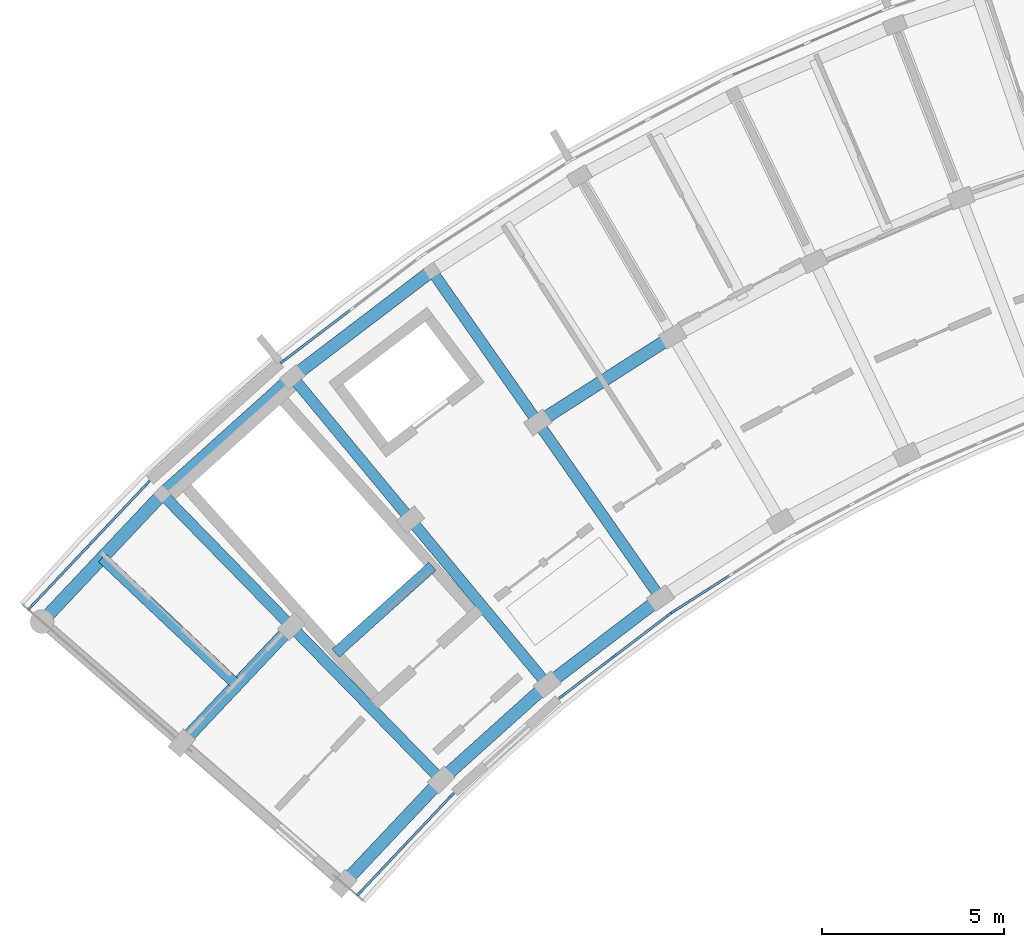
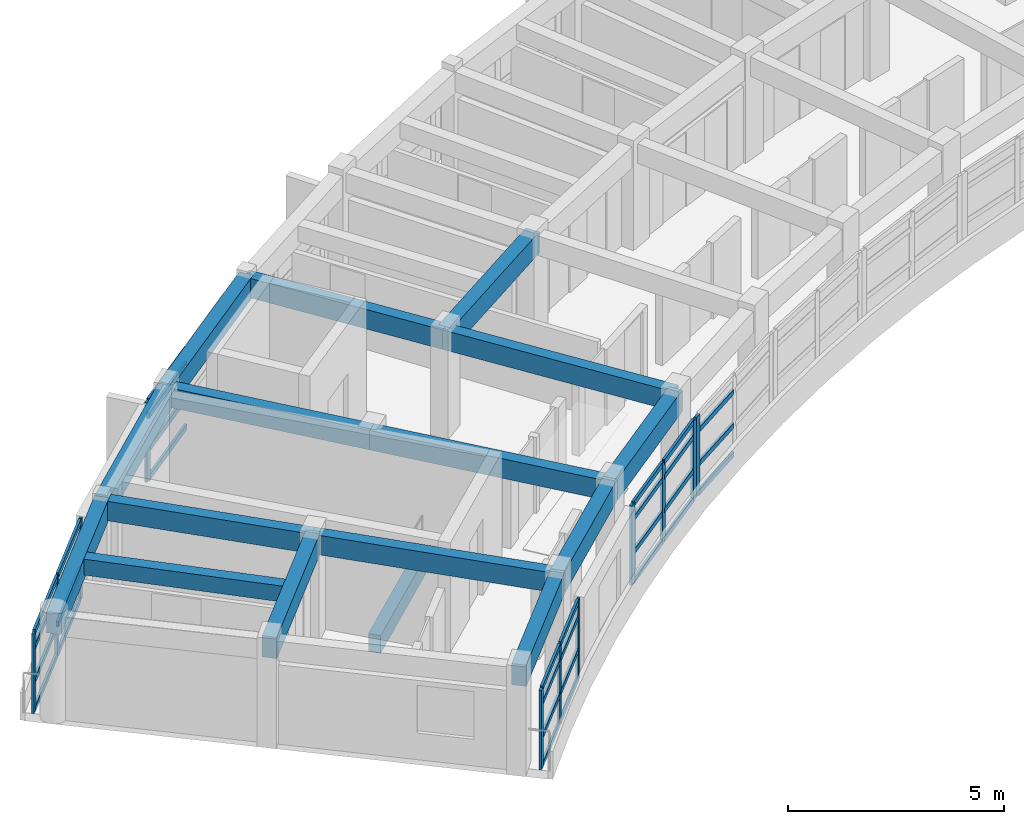
# One storey, part 2 of 11: 42 members, 16 beams, 5 elements without a shape of their own.
"""IFC4 building model written with IfcOpenShell, lengths in metres."""

from ifc_helpers import new_model, si_unit, direction, frame, origin, origin_2d, place, context, subcontext, project, spatial, rectangle, extrude, material, material_profile, profile_set, type_object, element, aggregate, save


model = new_model("IFC4")

# Units and contexts
model_context = context("Model", 3, precision=1e-05, world=origin(), true_north=direction((0.0, 1.0)))
body_context = subcontext(model_context, "Body", "Model", "MODEL_VIEW")
ifc_project = project(units=[si_unit("LENGTHUNIT", "METRE"), si_unit("AREAUNIT", "SQUARE_METRE"), si_unit("VOLUMEUNIT", "CUBIC_METRE"), si_unit("PLANEANGLEUNIT", "RADIAN"), si_unit("MASSUNIT", "GRAM", prefix="KILO")], contexts=[model_context])

# Site, building, storey
site_placement = place(None, origin())
site = spatial("IfcSite", under=ifc_project, at=site_placement, CompositionType="ELEMENT")
building_placement = place(site_placement, origin())
building = spatial("IfcBuilding", under=site, at=building_placement, Name="Zimvara Arc Housing Community", CompositionType="ELEMENT")
storey_placement = place(building_placement, frame((0.0, 0.0, 42.199951171875)))
storey = spatial("IfcBuildingStorey", under=building, at=storey_placement, Name="L13", CompositionType="ELEMENT", Elevation=42.199951171875)

# Beams
ifc_material_1 = material(Name="Concrete C40/50", Category="concrete")
ifc_material_profile_1 = material_profile(ifc_material_1, rectangle(XDim=0.300048828125, YDim=0.449951171875, at=origin_2d()), Name="RC 300x450")
ifc_profile_set_1 = profile_set([ifc_material_profile_1], Name="Concrete C40/50")
beam_type_1 = type_object("IfcBeamType", Name="BM-RC-300x450", PredefinedType="JOIST", material=ifc_profile_set_1)
beam_1_placement = place(storey_placement, frame((5.904296875, 81.3935546875, 2.695068359375), z_axis=(-0.727299876429, 0.686319815936, 0.0), x_axis=(-0.686319815936, -0.727299876429, 0.0)))
element("IfcBeam", 1, at=beam_1_placement, inside=storey, type_object=beam_type_1, Name="bm:blkA:L13:joist:b0", PredefinedType="JOIST", context=body_context, shape_type="SweptSolid", body=[
    extrude(rectangle(XDim=0.300048828125, YDim=0.449951171875, at=origin_2d()), origin(), (0.0, 0.0, 1.0), 5.075927734375),
])
ifc_material_2 = material(Name="Concrete C40/50", Category="concrete")
ifc_material_profile_2 = material_profile(ifc_material_2, rectangle(XDim=0.300048828125, YDim=0.5, at=origin_2d()), Name="RC 300x500")
ifc_profile_set_2 = profile_set([ifc_material_profile_2], Name="Concrete C40/50")
beam_type_2 = type_object("IfcBeamType", Name="BM-RC-300x500", PredefinedType="BEAM", material=ifc_profile_set_2)
beam_2_placement = place(storey_placement, frame((11.278076171875, 84.64697265625, -0.25), z_axis=(-0.743362151162, -0.668889162881, 0.0), x_axis=(0.668889162881, -0.743362151162, 0.0)))
element("IfcBeam", 2, at=beam_2_placement, inside=storey, type_object=beam_type_2, Name="bm:stair_trim:ST-A1:L13:near", PredefinedType="BEAM", context=body_context, shape_type="SweptSolid", body=[
    extrude(rectangle(XDim=0.300048828125, YDim=0.5, at=origin_2d()), origin(), (0.0, 0.0, 1.0), 3.570068359375),
])
ifc_material_3 = material(Name="Concrete C40/50", Category="concrete")
ifc_material_profile_3 = material_profile(ifc_material_3, rectangle(XDim=0.300048828125, YDim=0.550048828125, at=origin_2d()), Name="RC 300x550")
ifc_profile_set_3 = profile_set([ifc_material_profile_3], Name="Concrete C40/50")
beam_type_3 = type_object("IfcBeamType", Name="BM-RC-300x550", PredefinedType="BEAM", material=ifc_profile_set_3)
beam_3_placement = place(storey_placement, frame((11.52001953125, 78.784423828125, 2.64501953125), z_axis=(-0.698669844288, 0.715444231707, 0.0), x_axis=(-0.715444231707, -0.698669844288, 0.0)))
element("IfcBeam", 3, at=beam_3_placement, inside=storey, type_object=beam_type_3, Name="bm:blkA:L13:rad:b1:r12", PredefinedType="BEAM", context=body_context, shape_type="SweptSolid", body=[
    extrude(rectangle(XDim=0.300048828125, YDim=0.550048828125, at=origin_2d()), origin(), (0.0, 0.0, 1.0), 5.8798828125),
])
beam_4_placement = place(storey_placement, frame((7.411865234375, 82.9912109375, 2.64501953125), z_axis=(-0.698670885014, 0.71544321538, 0.0), x_axis=(-0.71544321538, -0.698670885014, 0.0)))
element("IfcBeam", 4, at=beam_4_placement, inside=storey, type_object=beam_type_3, Name="bm:blkA:L13:rad:b1:r23", PredefinedType="BEAM", context=body_context, shape_type="SweptSolid", body=[
    extrude(rectangle(XDim=0.300048828125, YDim=0.550048828125, at=origin_2d()), origin(), (0.0, 0.0, 1.0), 5.080078125),
])
beam_5_placement = place(storey_placement, frame((14.428955078125, 81.401611328125, 2.64501953125), z_axis=(-0.637955964415, 0.770072845559, 0.0), x_axis=(-0.770072845559, -0.637955964415, 0.0)))
element("IfcBeam", 5, at=beam_5_placement, inside=storey, type_object=beam_type_3, Name="bm:blkA:L13:rad:b2:r12", PredefinedType="BEAM", context=body_context, shape_type="SweptSolid", body=[
    extrude(rectangle(XDim=0.300048828125, YDim=0.550048828125, at=origin_2d()), origin(), (0.0, 0.0, 1.0), 5.880126953125),
])
beam_6_placement = place(storey_placement, frame((10.677734375, 85.9296875, 2.64501953125), z_axis=(-0.637983669165, 0.77004989311, 0.0), x_axis=(-0.77004989311, -0.637983669165, 0.0)))
element("IfcBeam", 6, at=beam_6_placement, inside=storey, type_object=beam_type_3, Name="bm:blkA:L13:rad:b2:r23", PredefinedType="BEAM", context=body_context, shape_type="SweptSolid", body=[
    extrude(rectangle(XDim=0.300048828125, YDim=0.550048828125, at=origin_2d()), origin(), (0.0, 0.0, 1.0), 5.080078125),
])
beam_7_placement = place(storey_placement, frame((17.541748046875, 83.77294921875, 2.64501953125), z_axis=(-0.573027549978, 0.819536104736, 0.0), x_axis=(-0.819536104736, -0.573027549978, 0.0)))
element("IfcBeam", 7, at=beam_7_placement, inside=storey, type_object=beam_type_3, Name="bm:blkA:L13:rad:b3:r12", PredefinedType="BEAM", context=body_context, shape_type="SweptSolid", body=[
    extrude(rectangle(XDim=0.300048828125, YDim=0.550048828125, at=origin_2d()), origin(), (0.0, 0.0, 1.0), 5.8798828125),
])
beam_8_placement = place(storey_placement, frame((14.17236328125, 88.591796875, 2.64501953125), z_axis=(-0.573007469479, 0.819550144848, 0.0), x_axis=(-0.819550144848, -0.573007469479, 0.0)))
element("IfcBeam", 8, at=beam_8_placement, inside=storey, type_object=beam_type_3, Name="bm:blkA:L13:rad:b3:r23", PredefinedType="BEAM", context=body_context, shape_type="SweptSolid", body=[
    extrude(rectangle(XDim=0.300048828125, YDim=0.550048828125, at=origin_2d()), origin(), (0.0, 0.0, 1.0), 5.080078125),
])
ifc_material_4 = material(Name="Concrete C40/50", Category="concrete")
ifc_material_profile_4 = material_profile(ifc_material_4, rectangle(XDim=0.35009765625, YDim=0.60009765625, at=origin_2d()), Name="RC 350x600")
ifc_profile_set_4 = profile_set([ifc_material_profile_4], Name="Concrete C40/50")
beam_type_4 = type_object("IfcBeamType", Name="BM-RC-350x600", PredefinedType="BEAM", material=ifc_profile_set_4)
beam_9_placement = place(storey_placement, frame((8.834228515625, 75.938232421875, 2.6201171875), z_axis=(0.686315710793, 0.727303750243, 0.0), x_axis=(-0.727303750243, 0.686315710793, 0.0)))
element("IfcBeam", 9, at=beam_9_placement, inside=storey, type_object=beam_type_4, Name="bm:blkA:L13:chord:r1:b0", PredefinedType="BEAM", context=body_context, shape_type="SweptSolid", body=[
    extrude(rectangle(XDim=0.35009765625, YDim=0.60009765625, at=origin_2d()), origin(), (0.0, 0.0, 1.0), 3.913330078125),
])
for number, where, z_axis, x_axis, name in (
    (10, (11.52001953125, 78.784423828125, 2.6201171875), (0.743402719516, 0.668844074965, 0.0), (-0.668844074965, 0.743402719516, 0.0), "bm:blkA:L13:chord:r1:b1"),
    (11, (14.428955078125, 81.401611328125, 2.6201171875), (0.795470387579, 0.605992460749, 0.0), (-0.605992460749, 0.795470387579, 0.0), "bm:blkA:L13:chord:r1:b2"),
):
    element("IfcBeam", number, at=place(storey_placement, frame(where, z_axis=z_axis, x_axis=x_axis)), inside=storey, type_object=beam_type_4, Name=name, PredefinedType="BEAM", context=body_context, shape_type="SweptSolid", body=[
        extrude(rectangle(XDim=0.35009765625, YDim=0.60009765625, at=origin_2d()), origin(), (0.0, 0.0, 1.0), 3.9130859375),
    ])
for number, where, z_axis, x_axis, name in (
    (12, (4.396728515625, 79.7958984375, 2.6201171875), (0.686303637813, 0.727315142648, 0.0), (-0.727315142648, 0.686303637813, 0.0), "bm:blkA:L13:chord:r2:b0"),
    (13, (14.17236328125, 88.591796875, 2.6201171875), (0.842242131326, 0.539099427025, 0.0), (-0.539099427025, 0.842242131326, 0.0), "bm:blkA:L13:chord:r2:b3"),
):
    element("IfcBeam", number, at=place(storey_placement, frame(where, z_axis=z_axis, x_axis=x_axis)), inside=storey, type_object=beam_type_4, Name=name, PredefinedType="BEAM", context=body_context, shape_type="SweptSolid", body=[
        extrude(rectangle(XDim=0.35009765625, YDim=0.60009765625, at=origin_2d()), origin(), (0.0, 0.0, 1.0), 4.393310546875),
    ])
beam_10_placement = place(storey_placement, frame((0.562744140625, 83.128662109375, 2.6201171875), z_axis=(0.6862954451, 0.727322873307, 0.0), x_axis=(-0.727322873307, 0.6862954451, 0.0)))
element("IfcBeam", 14, at=beam_10_placement, inside=storey, type_object=beam_type_4, Name="bm:blkA:L13:chord:r3:b0", PredefinedType="BEAM", context=body_context, shape_type="SweptSolid", body=[
    extrude(rectangle(XDim=0.35009765625, YDim=0.60009765625, at=origin_2d()), origin(), (0.0, 0.0, 1.0), 4.80810546875),
])
beam_11_placement = place(storey_placement, frame((3.862548828125, 86.625732421875, 2.6201171875), z_axis=(0.743395133402, 0.668852506637, 0.0), x_axis=(-0.668852506637, 0.743395133402, 0.0)))
element("IfcBeam", 15, at=beam_11_placement, inside=storey, type_object=beam_type_4, Name="bm:blkA:L13:chord:r3:b1", PredefinedType="BEAM", context=body_context, shape_type="SweptSolid", body=[
    extrude(rectangle(XDim=0.35009765625, YDim=0.60009765625, at=origin_2d()), origin(), (0.0, 0.0, 1.0), 4.807861328125),
])
beam_12_placement = place(storey_placement, frame((7.436767578125, 89.841552734375, 2.6201171875), z_axis=(0.795480673672, 0.605978958228, 0.0), x_axis=(-0.605978958228, 0.795480673672, 0.0)))
element("IfcBeam", 16, at=beam_12_placement, inside=storey, type_object=beam_type_4, Name="bm:blkA:L13:chord:r3:b2", PredefinedType="BEAM", context=body_context, shape_type="SweptSolid", body=[
    extrude(rectangle(XDim=0.35009765625, YDim=0.60009765625, at=origin_2d()), origin(), (0.0, 0.0, 1.0), 4.80810546875),
])

# Curtain wall, members
ifc_material_5 = material(Name="Anodised Aluminium AW-6063", Category="aluminium")
curtain_wall_type_1 = type_object("IfcCurtainWallType", Name="CW-SYS-02", PredefinedType="USERDEFINED", material=ifc_material_5)
curtain_wall_1_placement = place(storey_placement, origin())
curtain_wall_1 = element("IfcCurtainWall", 17, at=curtain_wall_1_placement, inside=storey, type_object=curtain_wall_type_1, Name="cw:blkA:L13:in:b0", ObjectType="CURTAIN WALL", PredefinedType="USERDEFINED")
ifc_material_6 = material(Name="Anodised Aluminium AW-6063", Category="aluminium")
ifc_material_profile_5 = material_profile(ifc_material_6, rectangle(XDim=0.06494140625, YDim=0.179931640625, at=origin_2d()), Name="ALU 65x180")
ifc_profile_set_5 = profile_set([ifc_material_profile_5], Name="Anodised Aluminium AW-6063")
member_type_1 = type_object("IfcMemberType", Name="CWM-65x150", PredefinedType="MULLION", material=ifc_profile_set_5)
member_1_placement = place(storey_placement, frame((9.275146484375, 75.677490234375, 0.0), z_axis=(0.0, 0.0, 1.0), x_axis=(-0.727293723669, 0.686326336018, 0.0)))
member_1 = element("IfcMember", 18, at=member_1_placement, type_object=member_type_1, Name="CW02 mullion 1", PredefinedType="MULLION", context=body_context, shape_type="SweptSolid", body=[
    extrude(rectangle(XDim=0.06494140625, YDim=0.179931640625, at=origin_2d()), origin(), (0.0, 0.0, 1.0), 2.25),
])
member_2_placement = place(storey_placement, frame((10.54052734375, 77.0185546875, 0.0), z_axis=(0.0, 0.0, 1.0), x_axis=(-0.727293723669, 0.686326336018, 0.0)))
member_2 = element("IfcMember", 19, at=member_2_placement, type_object=member_type_1, Name="CW02 mullion 2", PredefinedType="MULLION", context=body_context, shape_type="SweptSolid", body=[
    extrude(rectangle(XDim=0.06494140625, YDim=0.179931640625, at=origin_2d()), origin(), (0.0, 0.0, 1.0), 2.25),
])
member_3_placement = place(storey_placement, frame((11.805908203125, 78.359375, 0.0), z_axis=(0.0, 0.0, 1.0), x_axis=(-0.727293723669, 0.686326336018, 0.0)))
member_3 = element("IfcMember", 20, at=member_3_placement, type_object=member_type_1, Name="CW02 mullion 3", PredefinedType="MULLION", context=body_context, shape_type="SweptSolid", body=[
    extrude(rectangle(XDim=0.06494140625, YDim=0.179931640625, at=origin_2d()), origin(), (0.0, 0.0, 1.0), 2.25),
])

ifc_material_7 = material(Name="Anodised Aluminium AW-6063", Category="aluminium")
curtain_wall_type_2 = type_object("IfcCurtainWallType", Name="CW-SYS-04", PredefinedType="USERDEFINED", material=ifc_material_7)
curtain_wall_2_placement = place(storey_placement, origin())
curtain_wall_2 = element("IfcCurtainWall", 21, at=curtain_wall_2_placement, inside=storey, type_object=curtain_wall_type_2, Name="cw:blkA:L13:in:b2", ObjectType="CURTAIN WALL", PredefinedType="USERDEFINED")
member_4_placement = place(storey_placement, frame((14.821533203125, 81.07275390625, 0.0), z_axis=(0.0, 0.0, 1.0), x_axis=(-0.605987809503, 0.795473930895, 0.0)))
member_4 = element("IfcMember", 22, at=member_4_placement, type_object=member_type_1, Name="CW04 mullion 1", PredefinedType="MULLION", context=body_context, shape_type="SweptSolid", body=[
    extrude(rectangle(XDim=0.06494140625, YDim=0.179931640625, at=origin_2d()), origin(), (0.0, 0.0, 1.0), 2.25),
])
member_5_placement = place(storey_placement, frame((16.2880859375, 82.18994140625, 0.0), z_axis=(0.0, 0.0, 1.0), x_axis=(-0.605987809503, 0.795473930895, 0.0)))
member_5 = element("IfcMember", 23, at=member_5_placement, type_object=member_type_1, Name="CW04 mullion 2", PredefinedType="MULLION", context=body_context, shape_type="SweptSolid", body=[
    extrude(rectangle(XDim=0.06494140625, YDim=0.179931640625, at=origin_2d()), origin(), (0.0, 0.0, 1.0), 2.25),
])
member_6_placement = place(storey_placement, frame((17.754638671875, 83.30712890625, 0.0), z_axis=(0.0, 0.0, 1.0), x_axis=(-0.605987809503, 0.795473930895, 0.0)))
member_6 = element("IfcMember", 24, at=member_6_placement, type_object=member_type_1, Name="CW04 mullion 3", PredefinedType="MULLION", context=body_context, shape_type="SweptSolid", body=[
    extrude(rectangle(XDim=0.06494140625, YDim=0.179931640625, at=origin_2d()), origin(), (0.0, 0.0, 1.0), 2.25),
])

# Curtain wall, member
ifc_material_8 = material(Name="Anodised Aluminium AW-6063", Category="aluminium")
curtain_wall_type_3 = type_object("IfcCurtainWallType", Name="CW-SYS-06", PredefinedType="USERDEFINED", material=ifc_material_8)
curtain_wall_3_placement = place(storey_placement, origin())
curtain_wall_3 = element("IfcCurtainWall", 25, at=curtain_wall_3_placement, inside=storey, type_object=curtain_wall_type_3, Name="cw:blkA:L13:in:b3", ObjectType="CURTAIN WALL", PredefinedType="USERDEFINED")
member_7_placement = place(storey_placement, frame((17.906005859375, 83.4130859375, 0.0), z_axis=(0.0, 0.0, 1.0), x_axis=(-0.539065115913, 0.842264092079, 0.0)))
member_7 = element("IfcMember", 26, at=member_7_placement, type_object=member_type_1, Name="CW06 mullion 1", PredefinedType="MULLION", context=body_context, shape_type="SweptSolid", body=[
    extrude(rectangle(XDim=0.06494140625, YDim=0.179931640625, at=origin_2d()), origin(), (0.0, 0.0, 1.0), 2.25),
])

# Curtain wall, members
ifc_material_9 = material(Name="Anodised Aluminium AW-6063", Category="aluminium")
curtain_wall_type_4 = type_object("IfcCurtainWallType", Name="CW-SYS-01", PredefinedType="USERDEFINED", material=ifc_material_9)
curtain_wall_4_placement = place(storey_placement, origin())
curtain_wall_4 = element("IfcCurtainWall", 27, at=curtain_wall_4_placement, inside=storey, type_object=curtain_wall_type_4, Name="cw:blkA:L13:out:b0", ObjectType="CURTAIN WALL", PredefinedType="USERDEFINED")
ifc_material_10 = material(Name="Anodised Aluminium AW-6063", Category="aluminium")
ifc_material_profile_6 = material_profile(ifc_material_10, rectangle(XDim=0.06494140625, YDim=0.195068359375, at=origin_2d()), Name="ALU 65x195")
ifc_profile_set_6 = profile_set([ifc_material_profile_6], Name="Anodised Aluminium AW-6063")
member_type_2 = type_object("IfcMemberType", Name="CWM-65x180", PredefinedType="MULLION", material=ifc_profile_set_6)
member_8_placement = place(storey_placement, frame((0.248779296875, 83.524169921875, 0.0), z_axis=(0.0, 0.0, 1.0), x_axis=(-0.727293647725, 0.686326416495, 0.0)))
member_8 = element("IfcMember", 28, at=member_8_placement, type_object=member_type_2, Name="CW01 mullion 1", PredefinedType="MULLION", context=body_context, shape_type="SweptSolid", body=[
    extrude(rectangle(XDim=0.06494140625, YDim=0.195068359375, at=origin_2d()), origin(), (0.0, 0.0, 1.0), 2.25),
])
member_9_placement = place(storey_placement, frame((1.849365234375, 85.219970703125, 0.0), z_axis=(0.0, 0.0, 1.0), x_axis=(-0.727293647725, 0.686326416495, 0.0)))
member_9 = element("IfcMember", 29, at=member_9_placement, type_object=member_type_2, Name="CW01 mullion 2", PredefinedType="MULLION", context=body_context, shape_type="SweptSolid", body=[
    extrude(rectangle(XDim=0.06494140625, YDim=0.195068359375, at=origin_2d()), origin(), (0.0, 0.0, 1.0), 2.25),
])
member_10_placement = place(storey_placement, frame((3.44970703125, 86.916015625, 0.0), z_axis=(0.0, 0.0, 1.0), x_axis=(-0.727293647725, 0.686326416495, 0.0)))
member_10 = element("IfcMember", 30, at=member_10_placement, type_object=member_type_2, Name="CW01 mullion 3", PredefinedType="MULLION", context=body_context, shape_type="SweptSolid", body=[
    extrude(rectangle(XDim=0.06494140625, YDim=0.195068359375, at=origin_2d()), origin(), (0.0, 0.0, 1.0), 2.25),
])

# Curtain wall, member
ifc_material_11 = material(Name="Anodised Aluminium AW-6063", Category="aluminium")
curtain_wall_type_5 = type_object("IfcCurtainWallType", Name="CW-SYS-03", PredefinedType="USERDEFINED", material=ifc_material_11)
curtain_wall_5_placement = place(storey_placement, origin())
curtain_wall_5 = element("IfcCurtainWall", 31, at=curtain_wall_5_placement, inside=storey, type_object=curtain_wall_type_5, Name="cw:blkA:L13:out:b2", ObjectType="CURTAIN WALL", PredefinedType="USERDEFINED")
member_11_placement = place(storey_placement, frame((7.19140625, 90.28271484375, 0.0), z_axis=(0.0, 0.0, 1.0), x_axis=(-0.60598771987, 0.795473999177, 0.0)))
member_11 = element("IfcMember", 32, at=member_11_placement, type_object=member_type_2, Name="CW03 mullion 1", PredefinedType="MULLION", context=body_context, shape_type="SweptSolid", body=[
    extrude(rectangle(XDim=0.06494140625, YDim=0.195068359375, at=origin_2d()), origin(), (0.0, 0.0, 1.0), 2.25),
])

# Member
ifc_material_12 = material(Name="Anodised Aluminium AW-6063", Category="aluminium")
ifc_material_profile_7 = material_profile(ifc_material_12, rectangle(XDim=0.06494140625, YDim=0.139892578125, at=origin_2d()), Name="ALU 65x140")
ifc_profile_set_7 = profile_set([ifc_material_profile_7], Name="Anodised Aluminium AW-6063")
member_type_3 = type_object("IfcMemberType", Name="CWT-65x120", PredefinedType="USERDEFINED", material=ifc_profile_set_7)
member_12_placement = place(storey_placement, frame((9.29736328125, 75.701171875, 0.032470703125), z_axis=(0.686288936403, 0.7273290148, 0.0), x_axis=(-0.7273290148, 0.686288936403, 0.0)))
member_12 = element("IfcMember", 33, at=member_12_placement, type_object=member_type_3, Name="CW02 transom 1.1", ObjectType="TRANSOM", PredefinedType="USERDEFINED", context=body_context, shape_type="SweptSolid", body=[
    extrude(rectangle(XDim=0.06494140625, YDim=0.139892578125, at=origin_2d()), origin(), (0.0, 0.0, 1.0), 1.77880859375),
])

member_13_placement = place(storey_placement, frame((9.29736328125, 75.701171875, 0.85009765625), z_axis=(0.686288936403, 0.7273290148, 0.0), x_axis=(-0.7273290148, 0.686288936403, 0.0)))
member_13 = element("IfcMember", 34, at=member_13_placement, type_object=member_type_3, Name="CW02 transom 1.2", ObjectType="TRANSOM", PredefinedType="USERDEFINED", context=body_context, shape_type="SweptSolid", body=[
    extrude(rectangle(XDim=0.06494140625, YDim=0.139892578125, at=origin_2d()), origin(), (0.0, 0.0, 1.0), 1.77880859375),
])

member_14_placement = place(storey_placement, frame((9.29736328125, 75.701171875, 1.800048828125), z_axis=(0.686288936403, 0.7273290148, 0.0), x_axis=(-0.7273290148, 0.686288936403, 0.0)))
member_14 = element("IfcMember", 35, at=member_14_placement, type_object=member_type_3, Name="CW02 transom 1.3", ObjectType="TRANSOM", PredefinedType="USERDEFINED", context=body_context, shape_type="SweptSolid", body=[
    extrude(rectangle(XDim=0.06494140625, YDim=0.139892578125, at=origin_2d()), origin(), (0.0, 0.0, 1.0), 1.77880859375),
])

member_15_placement = place(storey_placement, frame((9.29736328125, 75.701171875, 2.217529296875), z_axis=(0.686288936403, 0.7273290148, 0.0), x_axis=(-0.7273290148, 0.686288936403, 0.0)))
member_15 = element("IfcMember", 36, at=member_15_placement, type_object=member_type_3, Name="CW02 transom 1.4", ObjectType="TRANSOM", PredefinedType="USERDEFINED", context=body_context, shape_type="SweptSolid", body=[
    extrude(rectangle(XDim=0.06494140625, YDim=0.139892578125, at=origin_2d()), origin(), (0.0, 0.0, 1.0), 1.77880859375),
])

member_16_placement = place(storey_placement, frame((10.562744140625, 77.0419921875, 0.032470703125), z_axis=(0.686288936403, 0.7273290148, 0.0), x_axis=(-0.7273290148, 0.686288936403, 0.0)))
member_16 = element("IfcMember", 37, at=member_16_placement, type_object=member_type_3, Name="CW02 transom 2.1", ObjectType="TRANSOM", PredefinedType="USERDEFINED", context=body_context, shape_type="SweptSolid", body=[
    extrude(rectangle(XDim=0.06494140625, YDim=0.139892578125, at=origin_2d()), origin(), (0.0, 0.0, 1.0), 1.77880859375),
])

member_17_placement = place(storey_placement, frame((10.562744140625, 77.0419921875, 0.85009765625), z_axis=(0.686288936403, 0.7273290148, 0.0), x_axis=(-0.7273290148, 0.686288936403, 0.0)))
member_17 = element("IfcMember", 38, at=member_17_placement, type_object=member_type_3, Name="CW02 transom 2.2", ObjectType="TRANSOM", PredefinedType="USERDEFINED", context=body_context, shape_type="SweptSolid", body=[
    extrude(rectangle(XDim=0.06494140625, YDim=0.139892578125, at=origin_2d()), origin(), (0.0, 0.0, 1.0), 1.77880859375),
])

member_18_placement = place(storey_placement, frame((10.562744140625, 77.0419921875, 1.800048828125), z_axis=(0.686288936403, 0.7273290148, 0.0), x_axis=(-0.7273290148, 0.686288936403, 0.0)))
member_18 = element("IfcMember", 39, at=member_18_placement, type_object=member_type_3, Name="CW02 transom 2.3", ObjectType="TRANSOM", PredefinedType="USERDEFINED", context=body_context, shape_type="SweptSolid", body=[
    extrude(rectangle(XDim=0.06494140625, YDim=0.139892578125, at=origin_2d()), origin(), (0.0, 0.0, 1.0), 1.77880859375),
])

member_19_placement = place(storey_placement, frame((10.562744140625, 77.0419921875, 2.217529296875), z_axis=(0.686288936403, 0.7273290148, 0.0), x_axis=(-0.7273290148, 0.686288936403, 0.0)))
member_19 = element("IfcMember", 40, at=member_19_placement, type_object=member_type_3, Name="CW02 transom 2.4", ObjectType="TRANSOM", PredefinedType="USERDEFINED", context=body_context, shape_type="SweptSolid", body=[
    extrude(rectangle(XDim=0.06494140625, YDim=0.139892578125, at=origin_2d()), origin(), (0.0, 0.0, 1.0), 1.77880859375),
])

aggregate(curtain_wall_1, [member_1, member_2, member_3, member_12, member_13, member_14, member_15, member_16, member_17, member_18, member_19])

member_20_placement = place(storey_placement, frame((14.84716796875, 81.09228515625, 0.032470703125), z_axis=(0.795497878591, 0.605956372322, 0.0), x_axis=(-0.605956372322, 0.795497878591, 0.0)))
member_20 = element("IfcMember", 41, at=member_20_placement, type_object=member_type_3, Name="CW04 transom 1.1", ObjectType="TRANSOM", PredefinedType="USERDEFINED", context=body_context, shape_type="SweptSolid", body=[
    extrude(rectangle(XDim=0.06494140625, YDim=0.139892578125, at=origin_2d()), origin(), (0.0, 0.0, 1.0), 1.77880859375),
])

member_21_placement = place(storey_placement, frame((14.84716796875, 81.09228515625, 0.85009765625), z_axis=(0.795497878591, 0.605956372322, 0.0), x_axis=(-0.605956372322, 0.795497878591, 0.0)))
member_21 = element("IfcMember", 42, at=member_21_placement, type_object=member_type_3, Name="CW04 transom 1.2", ObjectType="TRANSOM", PredefinedType="USERDEFINED", context=body_context, shape_type="SweptSolid", body=[
    extrude(rectangle(XDim=0.06494140625, YDim=0.139892578125, at=origin_2d()), origin(), (0.0, 0.0, 1.0), 1.77880859375),
])

member_22_placement = place(storey_placement, frame((14.84716796875, 81.09228515625, 1.800048828125), z_axis=(0.795497878591, 0.605956372322, 0.0), x_axis=(-0.605956372322, 0.795497878591, 0.0)))
member_22 = element("IfcMember", 43, at=member_22_placement, type_object=member_type_3, Name="CW04 transom 1.3", ObjectType="TRANSOM", PredefinedType="USERDEFINED", context=body_context, shape_type="SweptSolid", body=[
    extrude(rectangle(XDim=0.06494140625, YDim=0.139892578125, at=origin_2d()), origin(), (0.0, 0.0, 1.0), 1.77880859375),
])

member_23_placement = place(storey_placement, frame((14.84716796875, 81.09228515625, 2.217529296875), z_axis=(0.795497878591, 0.605956372322, 0.0), x_axis=(-0.605956372322, 0.795497878591, 0.0)))
member_23 = element("IfcMember", 44, at=member_23_placement, type_object=member_type_3, Name="CW04 transom 1.4", ObjectType="TRANSOM", PredefinedType="USERDEFINED", context=body_context, shape_type="SweptSolid", body=[
    extrude(rectangle(XDim=0.06494140625, YDim=0.139892578125, at=origin_2d()), origin(), (0.0, 0.0, 1.0), 1.77880859375),
])

member_24_placement = place(storey_placement, frame((16.31396484375, 82.20947265625, 0.032470703125), z_axis=(0.79544747465, 0.60602253677, 0.0), x_axis=(-0.60602253677, 0.79544747465, 0.0)))
member_24 = element("IfcMember", 45, at=member_24_placement, type_object=member_type_3, Name="CW04 transom 2.1", ObjectType="TRANSOM", PredefinedType="USERDEFINED", context=body_context, shape_type="SweptSolid", body=[
    extrude(rectangle(XDim=0.06494140625, YDim=0.139892578125, at=origin_2d()), origin(), (0.0, 0.0, 1.0), 1.778564453125),
])

member_25_placement = place(storey_placement, frame((16.31396484375, 82.20947265625, 0.85009765625), z_axis=(0.79544747465, 0.60602253677, 0.0), x_axis=(-0.60602253677, 0.79544747465, 0.0)))
member_25 = element("IfcMember", 46, at=member_25_placement, type_object=member_type_3, Name="CW04 transom 2.2", ObjectType="TRANSOM", PredefinedType="USERDEFINED", context=body_context, shape_type="SweptSolid", body=[
    extrude(rectangle(XDim=0.06494140625, YDim=0.139892578125, at=origin_2d()), origin(), (0.0, 0.0, 1.0), 1.778564453125),
])

member_26_placement = place(storey_placement, frame((16.31396484375, 82.20947265625, 1.800048828125), z_axis=(0.79544747465, 0.60602253677, 0.0), x_axis=(-0.60602253677, 0.79544747465, 0.0)))
member_26 = element("IfcMember", 47, at=member_26_placement, type_object=member_type_3, Name="CW04 transom 2.3", ObjectType="TRANSOM", PredefinedType="USERDEFINED", context=body_context, shape_type="SweptSolid", body=[
    extrude(rectangle(XDim=0.06494140625, YDim=0.139892578125, at=origin_2d()), origin(), (0.0, 0.0, 1.0), 1.778564453125),
])

member_27_placement = place(storey_placement, frame((16.31396484375, 82.20947265625, 2.217529296875), z_axis=(0.79544747465, 0.60602253677, 0.0), x_axis=(-0.60602253677, 0.79544747465, 0.0)))
member_27 = element("IfcMember", 48, at=member_27_placement, type_object=member_type_3, Name="CW04 transom 2.4", ObjectType="TRANSOM", PredefinedType="USERDEFINED", context=body_context, shape_type="SweptSolid", body=[
    extrude(rectangle(XDim=0.06494140625, YDim=0.139892578125, at=origin_2d()), origin(), (0.0, 0.0, 1.0), 1.778564453125),
])

aggregate(curtain_wall_2, [member_4, member_5, member_6, member_20, member_21, member_22, member_23, member_24, member_25, member_26, member_27])

member_28_placement = place(storey_placement, frame((17.933349609375, 83.4306640625, 0.032470703125), z_axis=(0.842273893594, 0.539049801197, 0.0), x_axis=(-0.539049801197, 0.842273893594, 0.0)))
member_28 = element("IfcMember", 49, at=member_28_placement, type_object=member_type_3, Name="CW06 transom 1.1", ObjectType="TRANSOM", PredefinedType="USERDEFINED", context=body_context, shape_type="SweptSolid", body=[
    extrude(rectangle(XDim=0.06494140625, YDim=0.139892578125, at=origin_2d()), origin(), (0.0, 0.0, 1.0), 1.778564453125),
])

member_29_placement = place(storey_placement, frame((17.933349609375, 83.4306640625, 0.85009765625), z_axis=(0.842273893594, 0.539049801197, 0.0), x_axis=(-0.539049801197, 0.842273893594, 0.0)))
member_29 = element("IfcMember", 50, at=member_29_placement, type_object=member_type_3, Name="CW06 transom 1.2", ObjectType="TRANSOM", PredefinedType="USERDEFINED", context=body_context, shape_type="SweptSolid", body=[
    extrude(rectangle(XDim=0.06494140625, YDim=0.139892578125, at=origin_2d()), origin(), (0.0, 0.0, 1.0), 1.778564453125),
])

member_30_placement = place(storey_placement, frame((17.933349609375, 83.4306640625, 1.800048828125), z_axis=(0.842273893594, 0.539049801197, 0.0), x_axis=(-0.539049801197, 0.842273893594, 0.0)))
member_30 = element("IfcMember", 51, at=member_30_placement, type_object=member_type_3, Name="CW06 transom 1.3", ObjectType="TRANSOM", PredefinedType="USERDEFINED", context=body_context, shape_type="SweptSolid", body=[
    extrude(rectangle(XDim=0.06494140625, YDim=0.139892578125, at=origin_2d()), origin(), (0.0, 0.0, 1.0), 1.778564453125),
])

aggregate(curtain_wall_3, [member_7, member_28, member_29, member_30])

ifc_material_13 = material(Name="Anodised Aluminium AW-6063", Category="aluminium")
ifc_material_profile_8 = material_profile(ifc_material_13, rectangle(XDim=0.06494140625, YDim=0.155029296875, at=origin_2d()), Name="ALU 65x155")
ifc_profile_set_8 = profile_set([ifc_material_profile_8], Name="Anodised Aluminium AW-6063")
member_type_4 = type_object("IfcMemberType", Name="CWT-65x140", PredefinedType="USERDEFINED", material=ifc_profile_set_8)
member_31_placement = place(storey_placement, frame((0.271240234375, 83.547607421875, 0.032470703125), z_axis=(0.68623762882, 0.727377423894, 0.0), x_axis=(-0.727377423894, 0.68623762882, 0.0)))
member_31 = element("IfcMember", 52, at=member_31_placement, type_object=member_type_4, Name="CW01 transom 1.1", ObjectType="TRANSOM", PredefinedType="USERDEFINED", context=body_context, shape_type="SweptSolid", body=[
    extrude(rectangle(XDim=0.06494140625, YDim=0.155029296875, at=origin_2d()), origin(), (0.0, 0.0, 1.0), 2.266845703125),
])

member_32_placement = place(storey_placement, frame((0.271240234375, 83.547607421875, 0.85009765625), z_axis=(0.68623762882, 0.727377423894, 0.0), x_axis=(-0.727377423894, 0.68623762882, 0.0)))
member_32 = element("IfcMember", 53, at=member_32_placement, type_object=member_type_4, Name="CW01 transom 1.2", ObjectType="TRANSOM", PredefinedType="USERDEFINED", context=body_context, shape_type="SweptSolid", body=[
    extrude(rectangle(XDim=0.06494140625, YDim=0.155029296875, at=origin_2d()), origin(), (0.0, 0.0, 1.0), 2.266845703125),
])

member_33_placement = place(storey_placement, frame((0.271240234375, 83.547607421875, 1.800048828125), z_axis=(0.68623762882, 0.727377423894, 0.0), x_axis=(-0.727377423894, 0.68623762882, 0.0)))
member_33 = element("IfcMember", 54, at=member_33_placement, type_object=member_type_4, Name="CW01 transom 1.3", ObjectType="TRANSOM", PredefinedType="USERDEFINED", context=body_context, shape_type="SweptSolid", body=[
    extrude(rectangle(XDim=0.06494140625, YDim=0.155029296875, at=origin_2d()), origin(), (0.0, 0.0, 1.0), 2.266845703125),
])

member_34_placement = place(storey_placement, frame((0.271240234375, 83.547607421875, 2.217529296875), z_axis=(0.68623762882, 0.727377423894, 0.0), x_axis=(-0.727377423894, 0.68623762882, 0.0)))
member_34 = element("IfcMember", 55, at=member_34_placement, type_object=member_type_4, Name="CW01 transom 1.4", ObjectType="TRANSOM", PredefinedType="USERDEFINED", context=body_context, shape_type="SweptSolid", body=[
    extrude(rectangle(XDim=0.06494140625, YDim=0.155029296875, at=origin_2d()), origin(), (0.0, 0.0, 1.0), 2.266845703125),
])

member_35_placement = place(storey_placement, frame((1.87158203125, 85.24365234375, 0.032470703125), z_axis=(0.686348357589, 0.727272941911, 0.0), x_axis=(-0.727272941911, 0.686348357589, 0.0)))
member_35 = element("IfcMember", 56, at=member_35_placement, type_object=member_type_4, Name="CW01 transom 2.1", ObjectType="TRANSOM", PredefinedType="USERDEFINED", context=body_context, shape_type="SweptSolid", body=[
    extrude(rectangle(XDim=0.06494140625, YDim=0.155029296875, at=origin_2d()), origin(), (0.0, 0.0, 1.0), 2.266845703125),
])

member_36_placement = place(storey_placement, frame((1.87158203125, 85.24365234375, 0.85009765625), z_axis=(0.686348357589, 0.727272941911, 0.0), x_axis=(-0.727272941911, 0.686348357589, 0.0)))
member_36 = element("IfcMember", 57, at=member_36_placement, type_object=member_type_4, Name="CW01 transom 2.2", ObjectType="TRANSOM", PredefinedType="USERDEFINED", context=body_context, shape_type="SweptSolid", body=[
    extrude(rectangle(XDim=0.06494140625, YDim=0.155029296875, at=origin_2d()), origin(), (0.0, 0.0, 1.0), 2.266845703125),
])

member_37_placement = place(storey_placement, frame((1.87158203125, 85.24365234375, 1.800048828125), z_axis=(0.686348357589, 0.727272941911, 0.0), x_axis=(-0.727272941911, 0.686348357589, 0.0)))
member_37 = element("IfcMember", 58, at=member_37_placement, type_object=member_type_4, Name="CW01 transom 2.3", ObjectType="TRANSOM", PredefinedType="USERDEFINED", context=body_context, shape_type="SweptSolid", body=[
    extrude(rectangle(XDim=0.06494140625, YDim=0.155029296875, at=origin_2d()), origin(), (0.0, 0.0, 1.0), 2.266845703125),
])

member_38_placement = place(storey_placement, frame((1.87158203125, 85.24365234375, 2.217529296875), z_axis=(0.686348357589, 0.727272941911, 0.0), x_axis=(-0.727272941911, 0.686348357589, 0.0)))
member_38 = element("IfcMember", 59, at=member_38_placement, type_object=member_type_4, Name="CW01 transom 2.4", ObjectType="TRANSOM", PredefinedType="USERDEFINED", context=body_context, shape_type="SweptSolid", body=[
    extrude(rectangle(XDim=0.06494140625, YDim=0.155029296875, at=origin_2d()), origin(), (0.0, 0.0, 1.0), 2.266845703125),
])

aggregate(curtain_wall_4, [member_8, member_9, member_10, member_31, member_32, member_33, member_34, member_35, member_36, member_37, member_38])

member_39_placement = place(storey_placement, frame((7.21728515625, 90.302490234375, 0.032470703125), z_axis=(0.795505886513, 0.605945859399, 0.0), x_axis=(-0.605945859399, 0.795505886513, 0.0)))
member_39 = element("IfcMember", 60, at=member_39_placement, type_object=member_type_4, Name="CW03 transom 1.1", ObjectType="TRANSOM", PredefinedType="USERDEFINED", context=body_context, shape_type="SweptSolid", body=[
    extrude(rectangle(XDim=0.06494140625, YDim=0.155029296875, at=origin_2d()), origin(), (0.0, 0.0, 1.0), 2.266845703125),
])

member_40_placement = place(storey_placement, frame((7.21728515625, 90.302490234375, 0.85009765625), z_axis=(0.795505886513, 0.605945859399, 0.0), x_axis=(-0.605945859399, 0.795505886513, 0.0)))
member_40 = element("IfcMember", 61, at=member_40_placement, type_object=member_type_4, Name="CW03 transom 1.2", ObjectType="TRANSOM", PredefinedType="USERDEFINED", context=body_context, shape_type="SweptSolid", body=[
    extrude(rectangle(XDim=0.06494140625, YDim=0.155029296875, at=origin_2d()), origin(), (0.0, 0.0, 1.0), 2.266845703125),
])

member_41_placement = place(storey_placement, frame((7.21728515625, 90.302490234375, 1.800048828125), z_axis=(0.795505886513, 0.605945859399, 0.0), x_axis=(-0.605945859399, 0.795505886513, 0.0)))
member_41 = element("IfcMember", 62, at=member_41_placement, type_object=member_type_4, Name="CW03 transom 1.3", ObjectType="TRANSOM", PredefinedType="USERDEFINED", context=body_context, shape_type="SweptSolid", body=[
    extrude(rectangle(XDim=0.06494140625, YDim=0.155029296875, at=origin_2d()), origin(), (0.0, 0.0, 1.0), 2.266845703125),
])

member_42_placement = place(storey_placement, frame((7.21728515625, 90.302490234375, 2.217529296875), z_axis=(0.795505886513, 0.605945859399, 0.0), x_axis=(-0.605945859399, 0.795505886513, 0.0)))
member_42 = element("IfcMember", 63, at=member_42_placement, type_object=member_type_4, Name="CW03 transom 1.4", ObjectType="TRANSOM", PredefinedType="USERDEFINED", context=body_context, shape_type="SweptSolid", body=[
    extrude(rectangle(XDim=0.06494140625, YDim=0.155029296875, at=origin_2d()), origin(), (0.0, 0.0, 1.0), 2.266845703125),
])

aggregate(curtain_wall_5, [member_11, member_39, member_40, member_41, member_42])

save(model, "model.ifc")
